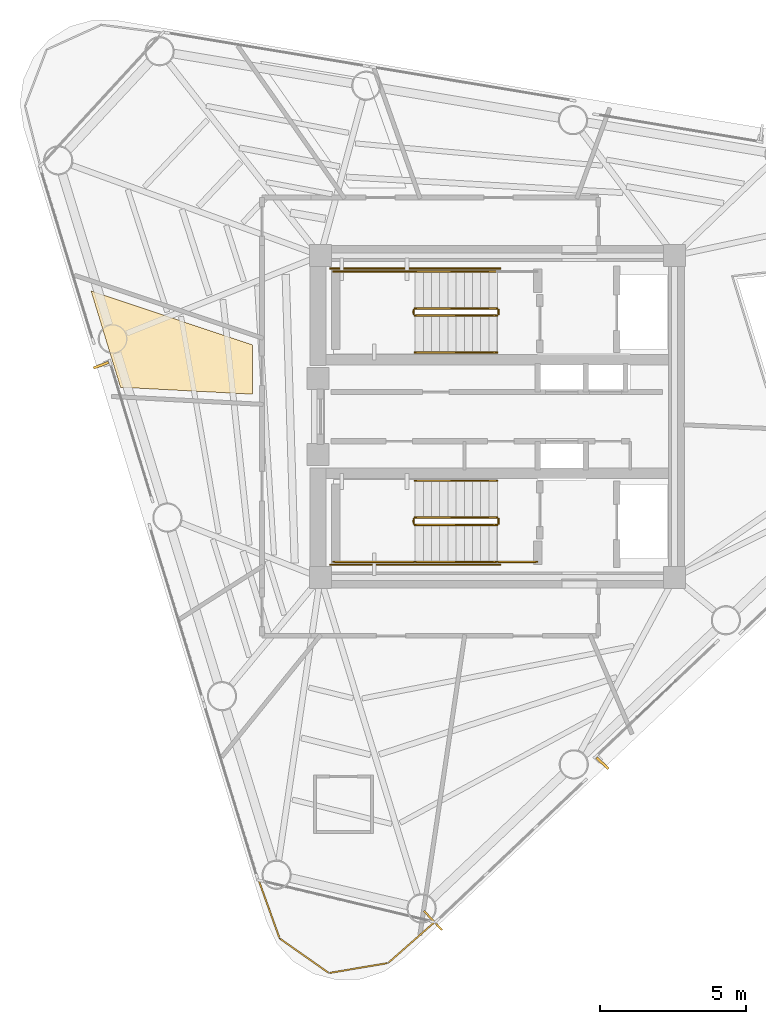
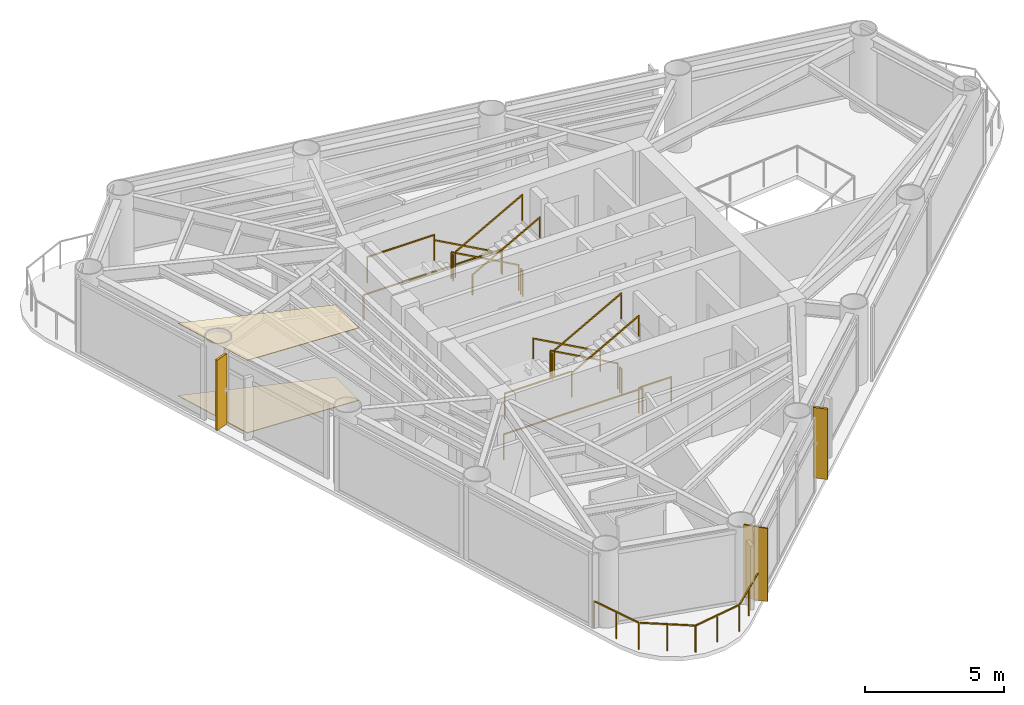
# One storey, part 8 of 9: 18 railings, 3 coverings, 2 shading devices.
"""IFC4 building model written with IfcOpenShell, lengths in metres."""

from ifc_helpers import new_model, si_unit, direction, frame, origin, origin_2d, place, context, subcontext, project, spatial, polyline, rectangle, outline, extrude, source, transform, mapped, material, layer, layer_set, material_profile, profile_set, type_object, element, save


model = new_model("IFC4")

# Units and contexts
model_context = context("Model", 3, precision=1e-05, world=origin(), true_north=direction((0.0, 1.0)))
body_context = subcontext(model_context, "Body", "Model", "MODEL_VIEW")
ifc_project = project(units=[si_unit("LENGTHUNIT", "METRE"), si_unit("AREAUNIT", "SQUARE_METRE"), si_unit("VOLUMEUNIT", "CUBIC_METRE"), si_unit("PLANEANGLEUNIT", "RADIAN"), si_unit("MASSUNIT", "GRAM", prefix="KILO")], contexts=[model_context])

# Site, building, storey
site_placement = place(None, origin())
site = spatial("IfcSite", under=ifc_project, at=site_placement, CompositionType="ELEMENT")
building_placement = place(site_placement, origin())
building = spatial("IfcBuilding", under=site, at=building_placement, Name="Yunling Apex Tower", CompositionType="ELEMENT")
storey_placement = place(building_placement, frame((0.0, 0.0, 228.64990234375)))
storey = spatial("IfcBuildingStorey", under=building, at=storey_placement, Name="L55", CompositionType="ELEMENT", Elevation=228.64990234375)

# Coverings
ifc_material_1 = material(Name="Acoustic mineral fibre ceiling")
ifc_layer_1 = layer(ifc_material_1, 0.02490234375)
ifc_layer_set_1 = layer_set([ifc_layer_1], Name="Acoustic mineral fibre ceiling")
covering_type_1 = type_object("IfcCoveringType", Name="CV-CLG-1", PredefinedType="CEILING", material=ifc_layer_set_1)
covering_1_placement = place(storey_placement, frame((0.0, 0.0, 3.195068359375)))
element("IfcCovering", 1, at=covering_1_placement, inside=storey, type_object=covering_type_1, Name="CV-CL-SP-L55-AMN10", PredefinedType="CEILING", context=body_context, shape_type="SweptSolid", body=[
    extrude(outline(polyline([(-12.877685546875, 1.00537109375), (-13.884033203125, 4.297607421875), (-8.3701171875, 2.45263671875), (-8.3701171875, 0.76904296875), (-12.877685546875, 1.00537109375)])), origin(), (0.0, 0.0, 1.0), 0.025146484375),
])
ifc_material_2 = material(Name="Polished granite stone", Category="masonry")
ifc_layer_2 = layer(ifc_material_2, 0.030029296875)
ifc_layer_set_2 = layer_set([ifc_layer_2], Name="Polished granite stone")
covering_type_2 = type_object("IfcCoveringType", Name="CV-FLR-1", PredefinedType="FLOORING", material=ifc_layer_set_2)
covering_2_placement = place(storey_placement, origin())
element("IfcCovering", 2, at=covering_2_placement, inside=storey, type_object=covering_type_2, Name="CV-FL-SP-L55-AMN10", PredefinedType="FLOORING", context=body_context, shape_type="SweptSolid", body=[
    extrude(outline(polyline([(-12.877685546875, 1.00537109375), (-13.884033203125, 4.297607421875), (-8.3701171875, 2.45263671875), (-8.3701171875, 0.76904296875), (-12.877685546875, 1.00537109375)])), origin(), (0.0, 0.0, 1.0), 0.030029296875),
])

# Railings
ifc_material_3 = material(Name="Bronze anodised aluminium", Category="aluminium")
railing_type_1 = type_object("IfcRailingType", Name="RL-BAL-1200", PredefinedType="BALUSTRADE", material=ifc_material_3)
railing_1_placement = place(storey_placement, frame((-2.147216796875, -17.2724609375, 0.0)))
element("IfcRailing", 3, at=railing_1_placement, inside=storey, type_object=railing_type_1, Name="RL-CRNSILL-L55-3", PredefinedType="BALUSTRADE", context=body_context, shape_type="SweptSolid", body=[
    extrude(rectangle(XDim=0.0439453125, YDim=0.0439453125, at=origin_2d()), origin(), (0.0, 0.0, 1.0), 1.199951171875),
    extrude(rectangle(XDim=0.0439453125, YDim=0.0439453125, at=origin_2d()), frame((-1.58740234375, -1.396728515625, 0.0)), (0.0, 0.0, 1.0), 1.199951171875),
    extrude(rectangle(XDim=0.050048828125, YDim=0.050048828125, at=origin_2d()), frame((-0.02880859375, -0.025390625, 1.1748046875), z_axis=(-0.750757036125, -0.660578437968, 0.0), x_axis=(0.660578437968, -0.750757036125, 0.0)), (0.0, 0.0, 1.0), 2.037841796875),
    extrude(rectangle(XDim=0.0439453125, YDim=0.0439453125, at=origin_2d()), frame((-0.793701171875, -0.6982421875, 0.0)), (0.0, 0.0, 1.0), 1.14599609375),
    extrude(rectangle(XDim=0.0439453125, YDim=0.0439453125, at=origin_2d()), frame((-3.609130859375, -1.738525390625, 0.0)), (0.0, 0.0, 1.0), 1.199951171875),
    extrude(rectangle(XDim=0.050048828125, YDim=0.050048828125, at=origin_2d()), frame((-1.625244140625, -1.403076171875, 1.1748046875), z_axis=(-0.986008296857, -0.166696246299, 0.0), x_axis=(0.166696246299, -0.986008296857, 0.0)), (0.0, 0.0, 1.0), 1.973876953125),
    extrude(rectangle(XDim=0.0439453125, YDim=0.0439453125, at=origin_2d()), frame((-2.59814453125, -1.567626953125, 0.0)), (0.0, 0.0, 1.0), 1.14599609375),
    extrude(rectangle(XDim=0.0439453125, YDim=0.0439453125, at=origin_2d()), frame((-5.29296875, -0.556884765625, 0.0)), (0.0, 0.0, 1.0), 1.199951171875),
    extrude(rectangle(XDim=0.050048828125, YDim=0.050048828125, at=origin_2d()), frame((-3.640625, -1.716552734375, 1.1748046875), z_axis=(-0.818556692462, 0.574425749096, 0.0), x_axis=(-0.574425749096, -0.818556692462, 0.0)), (0.0, 0.0, 1.0), 1.98046875),
    extrude(rectangle(XDim=0.0439453125, YDim=0.0439453125, at=origin_2d()), frame((-4.451171875, -1.147705078125, 0.0)), (0.0, 0.0, 1.0), 1.14599609375),
    extrude(rectangle(XDim=0.0439453125, YDim=0.0439453125, at=origin_2d()), frame((-6.0087890625, 1.431884765625, 0.0)), (0.0, 0.0, 1.0), 1.199951171875),
    extrude(rectangle(XDim=0.050048828125, YDim=0.050048828125, at=origin_2d()), frame((-5.305908203125, -0.520751953125, 1.1748046875), z_axis=(-0.338662205699, 0.940908024427, 0.0), x_axis=(-0.940908024427, -0.338662205699, 0.0)), (0.0, 0.0, 1.0), 2.037109375),
    extrude(rectangle(XDim=0.0439453125, YDim=0.0439453125, at=origin_2d()), frame((-5.65087890625, 0.4375, 0.0)), (0.0, 0.0, 1.0), 1.14599609375),
])
ifc_material_4 = material(Name="Steel Q355B", Category="steel")
railing_type_2 = type_object("IfcRailingType", Name="RL-GRD-1150", PredefinedType="GUARDRAIL", material=ifc_material_4)
railing_2_placement = place(storey_placement, frame((-0.010009765625, 3.699951171875, 0.154541015625)))
element("IfcRailing", 4, at=railing_2_placement, inside=storey, type_object=railing_type_2, Name="L55 ST-1 stair guard 1", PredefinedType="GUARDRAIL", context=body_context, shape_type="SweptSolid", body=[
    extrude(rectangle(XDim=0.0439453125, YDim=0.0439453125, at=origin_2d()), origin(), (0.0, 0.0, 1.0), 1.14990234375),
    extrude(rectangle(XDim=0.0439453125, YDim=0.0439453125, at=origin_2d()), frame((-2.800048828125, 0.0, 1.545654296875)), (0.0, 0.0, 1.0), 1.14990234375),
    extrude(rectangle(XDim=0.050048828125, YDim=0.050048828125, at=origin_2d()), frame((-0.033447265625, 0.0, 1.143310546875), z_axis=(-0.875471895205, 0.0, 0.483269035534), x_axis=(0.0, -1.0, 0.0)), (0.0, 0.0, 1.0), 3.12158203125),
])
railing_3_placement = place(storey_placement, frame((-2.860107421875, 3.64990234375, 1.7001953125)))
element("IfcRailing", 5, at=railing_3_placement, inside=storey, type_object=railing_type_2, Name="L55 ST-1 stair guard 2", PredefinedType="GUARDRAIL", context=body_context, shape_type="SweptSolid", body=[
    extrude(rectangle(XDim=0.0439453125, YDim=0.0439453125, at=origin_2d()), origin(), (0.0, 0.0, 1.0), 1.14990234375),
    extrude(rectangle(XDim=0.0439453125, YDim=0.0439453125, at=origin_2d()), frame((0.0, -0.14990234375, 0.0)), (0.0, 0.0, 1.0), 1.14990234375),
    extrude(rectangle(XDim=0.050048828125, YDim=0.050048828125, at=origin_2d()), frame((0.0, -0.038330078125, 1.125), z_axis=(0.0, -1.0, 0.0), x_axis=(1.0, 0.0, 0.0)), (0.0, 0.0, 1.0), 0.0732421875),
])
railing_4_placement = place(storey_placement, frame((-2.81005859375, 4.9599609375, 1.7001953125)))
element("IfcRailing", 6, at=railing_4_placement, inside=storey, type_object=railing_type_2, Name="L55 ST-1 stair guard 3", PredefinedType="GUARDRAIL", context=body_context, shape_type="SweptSolid", body=[
    extrude(rectangle(XDim=0.0439453125, YDim=0.0439453125, at=origin_2d()), origin(), (0.0, 0.0, 1.0), 1.14990234375),
    extrude(rectangle(XDim=0.0439453125, YDim=0.0439453125, at=origin_2d()), frame((-2.7900390625, 0.0, 0.0)), (0.0, 0.0, 1.0), 1.14990234375),
    extrude(rectangle(XDim=0.050048828125, YDim=0.050048828125, at=origin_2d()), frame((-0.038330078125, 0.0, 1.125), z_axis=(-1.0, 0.0, 0.0), x_axis=(0.0, -1.0, 0.0)), (0.0, 0.0, 1.0), 2.71337890625),
])
railing_5_placement = place(storey_placement, frame((-2.81005859375, 3.449951171875, 1.854736328125)))
element("IfcRailing", 7, at=railing_5_placement, inside=storey, type_object=railing_type_2, Name="L55 ST-1 stair guard 4", PredefinedType="GUARDRAIL", context=body_context, shape_type="SweptSolid", body=[
    extrude(rectangle(XDim=0.0439453125, YDim=0.0439453125, at=origin_2d()), origin(), (0.0, 0.0, 1.0), 1.14990234375),
    extrude(rectangle(XDim=0.0439453125, YDim=0.0439453125, at=origin_2d()), frame((2.800048828125, 0.0, 1.54541015625)), (0.0, 0.0, 1.0), 1.14990234375),
    extrude(rectangle(XDim=0.050048828125, YDim=0.050048828125, at=origin_2d()), frame((0.033447265625, 0.0, 1.143310546875), z_axis=(0.875504190374, 0.0, 0.483210526207), x_axis=(0.0, 1.0, 0.0)), (0.0, 0.0, 1.0), 3.12158203125),
])
railing_6_placement = place(storey_placement, frame((0.0400390625, 3.64990234375, 0.0)))
element("IfcRailing", 8, at=railing_6_placement, inside=storey, type_object=railing_type_2, Name="L55 ST-1 stair guard 5", PredefinedType="GUARDRAIL", context=body_context, shape_type="SweptSolid", body=[
    extrude(rectangle(XDim=0.0439453125, YDim=0.0439453125, at=origin_2d()), origin(), (0.0, 0.0, 1.0), 1.14990234375),
    extrude(rectangle(XDim=0.0439453125, YDim=0.0439453125, at=origin_2d()), frame((0.0, -0.14990234375, 0.0)), (0.0, 0.0, 1.0), 1.14990234375),
    extrude(rectangle(XDim=0.050048828125, YDim=0.050048828125, at=origin_2d()), frame((0.0, -0.038330078125, 1.125), z_axis=(0.0, -1.0, 0.0), x_axis=(1.0, 0.0, 0.0)), (0.0, 0.0, 1.0), 0.0732421875),
])
railing_7_placement = place(storey_placement, frame((0.090087890625, 5.06005859375, 0.0)))
element("IfcRailing", 9, at=railing_7_placement, inside=storey, type_object=railing_type_2, Name="L55 ST-1 stair guard 7", PredefinedType="GUARDRAIL", context=body_context, shape_type="SweptSolid", body=[
    extrude(rectangle(XDim=0.0439453125, YDim=0.0439453125, at=origin_2d()), origin(), (0.0, 0.0, 1.0), 1.14990234375),
    extrude(rectangle(XDim=0.0439453125, YDim=0.0439453125, at=origin_2d()), frame((-5.7900390625, 0.0, 0.0)), (0.0, 0.0, 1.0), 1.14990234375),
    extrude(rectangle(XDim=0.050048828125, YDim=0.050048828125, at=origin_2d()), frame((-0.038330078125, 0.0, 1.125), z_axis=(-1.0, 0.0, 0.0), x_axis=(0.0, -1.0, 0.0)), (0.0, 0.0, 1.0), 5.71337890625),
])
railing_8_placement = place(storey_placement, frame((-0.010009765625, -3.449951171875, 0.154541015625)))
element("IfcRailing", 10, at=railing_8_placement, inside=storey, type_object=railing_type_2, Name="L55 ST-2 stair guard 1", PredefinedType="GUARDRAIL", context=body_context, shape_type="SweptSolid", body=[
    extrude(rectangle(XDim=0.0439453125, YDim=0.0439453125, at=origin_2d()), origin(), (0.0, 0.0, 1.0), 1.14990234375),
    extrude(rectangle(XDim=0.0439453125, YDim=0.0439453125, at=origin_2d()), frame((-2.800048828125, 0.0, 1.545654296875)), (0.0, 0.0, 1.0), 1.14990234375),
    extrude(rectangle(XDim=0.050048828125, YDim=0.050048828125, at=origin_2d()), frame((-0.033447265625, 0.0, 1.143310546875), z_axis=(-0.875471895205, 0.0, 0.483269035534), x_axis=(0.0, -1.0, 0.0)), (0.0, 0.0, 1.0), 3.12158203125),
])
railing_9_placement = place(storey_placement, frame((-2.860107421875, -3.5, 1.7001953125)))
element("IfcRailing", 11, at=railing_9_placement, inside=storey, type_object=railing_type_2, Name="L55 ST-2 stair guard 2", PredefinedType="GUARDRAIL", context=body_context, shape_type="SweptSolid", body=[
    extrude(rectangle(XDim=0.0439453125, YDim=0.0439453125, at=origin_2d()), origin(), (0.0, 0.0, 1.0), 1.14990234375),
    extrude(rectangle(XDim=0.0439453125, YDim=0.0439453125, at=origin_2d()), frame((0.0, -0.14990234375, 0.0)), (0.0, 0.0, 1.0), 1.14990234375),
    extrude(rectangle(XDim=0.050048828125, YDim=0.050048828125, at=origin_2d()), frame((0.0, -0.038330078125, 1.125), z_axis=(0.0, -1.0, 0.0), x_axis=(1.0, 0.0, 0.0)), (0.0, 0.0, 1.0), 0.0732421875),
])
railing_10_placement = place(storey_placement, frame((-2.81005859375, -4.9599609375, 1.7001953125)))
element("IfcRailing", 12, at=railing_10_placement, inside=storey, type_object=railing_type_2, Name="L55 ST-2 stair guard 3", PredefinedType="GUARDRAIL", context=body_context, shape_type="SweptSolid", body=[
    extrude(rectangle(XDim=0.0439453125, YDim=0.0439453125, at=origin_2d()), origin(), (0.0, 0.0, 1.0), 1.14990234375),
    extrude(rectangle(XDim=0.0439453125, YDim=0.0439453125, at=origin_2d()), frame((-2.7900390625, 0.0, 0.0)), (0.0, 0.0, 1.0), 1.14990234375),
    extrude(rectangle(XDim=0.050048828125, YDim=0.050048828125, at=origin_2d()), frame((-0.038330078125, 0.0, 1.125), z_axis=(-1.0, 0.0, 0.0), x_axis=(0.0, -1.0, 0.0)), (0.0, 0.0, 1.0), 2.71337890625),
])
railing_11_placement = place(storey_placement, frame((-2.81005859375, -3.699951171875, 1.854736328125)))
element("IfcRailing", 13, at=railing_11_placement, inside=storey, type_object=railing_type_2, Name="L55 ST-2 stair guard 4", PredefinedType="GUARDRAIL", context=body_context, shape_type="SweptSolid", body=[
    extrude(rectangle(XDim=0.0439453125, YDim=0.0439453125, at=origin_2d()), origin(), (0.0, 0.0, 1.0), 1.14990234375),
    extrude(rectangle(XDim=0.0439453125, YDim=0.0439453125, at=origin_2d()), frame((2.800048828125, 0.0, 1.54541015625)), (0.0, 0.0, 1.0), 1.14990234375),
    extrude(rectangle(XDim=0.050048828125, YDim=0.050048828125, at=origin_2d()), frame((0.033447265625, 0.0, 1.143310546875), z_axis=(0.875504190374, 0.0, 0.483210526207), x_axis=(0.0, 1.0, 0.0)), (0.0, 0.0, 1.0), 3.12158203125),
])
railing_12_placement = place(storey_placement, frame((0.0400390625, -3.5, 0.0)))
element("IfcRailing", 14, at=railing_12_placement, inside=storey, type_object=railing_type_2, Name="L55 ST-2 stair guard 5", PredefinedType="GUARDRAIL", context=body_context, shape_type="SweptSolid", body=[
    extrude(rectangle(XDim=0.0439453125, YDim=0.0439453125, at=origin_2d()), origin(), (0.0, 0.0, 1.0), 1.14990234375),
    extrude(rectangle(XDim=0.0439453125, YDim=0.0439453125, at=origin_2d()), frame((0.0, -0.14990234375, 0.0)), (0.0, 0.0, 1.0), 1.14990234375),
    extrude(rectangle(XDim=0.050048828125, YDim=0.050048828125, at=origin_2d()), frame((0.0, -0.038330078125, 1.125), z_axis=(0.0, -1.0, 0.0), x_axis=(1.0, 0.0, 0.0)), (0.0, 0.0, 1.0), 0.0732421875),
])
railing_13_placement = place(storey_placement, frame((1.35009765625, -4.9599609375, 0.0)))
element("IfcRailing", 15, at=railing_13_placement, inside=storey, type_object=railing_type_2, Name="L55 ST-2 stair guard 6", PredefinedType="GUARDRAIL", context=body_context, shape_type="SweptSolid", body=[
    extrude(rectangle(XDim=0.0439453125, YDim=0.0439453125, at=origin_2d()), origin(), (0.0, 0.0, 1.0), 1.14990234375),
    extrude(rectangle(XDim=0.0439453125, YDim=0.0439453125, at=origin_2d()), frame((-1.360107421875, 0.0, 0.0)), (0.0, 0.0, 1.0), 1.14990234375),
    extrude(rectangle(XDim=0.050048828125, YDim=0.050048828125, at=origin_2d()), frame((-0.038330078125, 0.0, 1.125), z_axis=(-1.0, 0.0, 0.0), x_axis=(0.0, -1.0, 0.0)), (0.0, 0.0, 1.0), 1.283447265625),
])
railing_14_placement = place(storey_placement, frame((0.090087890625, -5.06005859375, 0.0)))
element("IfcRailing", 16, at=railing_14_placement, inside=storey, type_object=railing_type_2, Name="L55 ST-2 stair guard 7", PredefinedType="GUARDRAIL", context=body_context, shape_type="SweptSolid", body=[
    extrude(rectangle(XDim=0.0439453125, YDim=0.0439453125, at=origin_2d()), origin(), (0.0, 0.0, 1.0), 1.14990234375),
    extrude(rectangle(XDim=0.0439453125, YDim=0.0439453125, at=origin_2d()), frame((-5.7900390625, 0.0, 0.0)), (0.0, 0.0, 1.0), 1.14990234375),
    extrude(rectangle(XDim=0.050048828125, YDim=0.050048828125, at=origin_2d()), frame((-0.038330078125, 0.0, 1.125), z_axis=(-1.0, 0.0, 0.0), x_axis=(0.0, -1.0, 0.0)), (0.0, 0.0, 1.0), 5.71337890625),
])
ifc_material_5 = material(Name="Silver anodised aluminium", Category="aluminium")
railing_type_3 = type_object("IfcRailingType", Name="RL-HND-900", PredefinedType="HANDRAIL", material=ifc_material_5)
railing_15_placement = place(storey_placement, frame((-0.010009765625, 4.9599609375, 0.154541015625)))
element("IfcRailing", 17, at=railing_15_placement, inside=storey, type_object=railing_type_3, Name="L55 ST-1 stair handrail 1", PredefinedType="HANDRAIL", context=body_context, shape_type="SweptSolid", body=[
    extrude(rectangle(XDim=0.0439453125, YDim=0.0439453125, at=origin_2d()), origin(), (0.0, 0.0, 1.0), 0.919921875),
    extrude(rectangle(XDim=0.0439453125, YDim=0.0439453125, at=origin_2d()), frame((-2.800048828125, 0.0, 1.545654296875)), (0.0, 0.0, 1.0), 0.919921875),
    extrude(rectangle(XDim=0.050048828125, YDim=0.050048828125, at=origin_2d()), frame((-0.033447265625, 0.0, 0.913330078125), z_axis=(-0.875471895205, 0.0, 0.483269035534), x_axis=(0.0, -1.0, 0.0)), (0.0, 0.0, 1.0), 3.12158203125),
])
railing_16_placement = place(storey_placement, frame((-2.81005859375, 2.18994140625, 1.854736328125)))
element("IfcRailing", 18, at=railing_16_placement, inside=storey, type_object=railing_type_3, Name="L55 ST-1 stair handrail 2", PredefinedType="HANDRAIL", context=body_context, shape_type="SweptSolid", body=[
    extrude(rectangle(XDim=0.0439453125, YDim=0.0439453125, at=origin_2d()), origin(), (0.0, 0.0, 1.0), 0.919921875),
    extrude(rectangle(XDim=0.0439453125, YDim=0.0439453125, at=origin_2d()), frame((2.800048828125, 0.0, 1.54541015625)), (0.0, 0.0, 1.0), 0.919921875),
    extrude(rectangle(XDim=0.050048828125, YDim=0.050048828125, at=origin_2d()), frame((0.033447265625, 0.0, 0.913330078125), z_axis=(0.875504190374, 0.0, 0.483210526207), x_axis=(0.0, 1.0, 0.0)), (0.0, 0.0, 1.0), 3.12158203125),
])
railing_17_placement = place(storey_placement, frame((-0.010009765625, -2.18994140625, 0.154541015625)))
element("IfcRailing", 19, at=railing_17_placement, inside=storey, type_object=railing_type_3, Name="L55 ST-2 stair handrail 1", PredefinedType="HANDRAIL", context=body_context, shape_type="SweptSolid", body=[
    extrude(rectangle(XDim=0.0439453125, YDim=0.0439453125, at=origin_2d()), origin(), (0.0, 0.0, 1.0), 0.919921875),
    extrude(rectangle(XDim=0.0439453125, YDim=0.0439453125, at=origin_2d()), frame((-2.800048828125, 0.0, 1.545654296875)), (0.0, 0.0, 1.0), 0.919921875),
    extrude(rectangle(XDim=0.050048828125, YDim=0.050048828125, at=origin_2d()), frame((-0.033447265625, 0.0, 0.913330078125), z_axis=(-0.875471895205, 0.0, 0.483269035534), x_axis=(0.0, -1.0, 0.0)), (0.0, 0.0, 1.0), 3.12158203125),
])
railing_18_placement = place(storey_placement, frame((-2.81005859375, -4.9599609375, 1.854736328125)))
element("IfcRailing", 20, at=railing_18_placement, inside=storey, type_object=railing_type_3, Name="L55 ST-2 stair handrail 2", PredefinedType="HANDRAIL", context=body_context, shape_type="SweptSolid", body=[
    extrude(rectangle(XDim=0.0439453125, YDim=0.0439453125, at=origin_2d()), origin(), (0.0, 0.0, 1.0), 0.919921875),
    extrude(rectangle(XDim=0.0439453125, YDim=0.0439453125, at=origin_2d()), frame((2.800048828125, 0.0, 1.54541015625)), (0.0, 0.0, 1.0), 0.919921875),
    extrude(rectangle(XDim=0.050048828125, YDim=0.050048828125, at=origin_2d()), frame((0.033447265625, 0.0, 0.913330078125), z_axis=(0.875504190374, 0.0, 0.483210526207), x_axis=(0.0, 1.0, 0.0)), (0.0, 0.0, 1.0), 3.12158203125),
])

# Covering
ifc_layer_3 = layer(ifc_material_3, 0.0400390625)
ifc_layer_set_3 = layer_set([ifc_layer_3], Name="Bronze anodised aluminium")
covering_type_3 = type_object("IfcCoveringType", Name="CV-CLD-1", PredefinedType="CLADDING", material=ifc_layer_set_3)
shared_shape_1 = source(origin(), body_context, "Body", "SweptSolid", [
    extrude(rectangle(XDim=0.06005859375, YDim=0.89990234375, at=origin_2d()), origin(), (0.0, 0.0, 1.0), 3.219970703125),
])
covering_3_placement = place(storey_placement, frame((-2.2021484375, -17.21435546875, 0.0), z_axis=(0.0, 0.0, 1.0), x_axis=(0.725854756355, 0.687848001144, 0.0)))
element("IfcCovering", 21, at=covering_3_placement, inside=storey, type_object=covering_type_3, Name="CV-CLD-L55", PredefinedType="CLADDING", context=body_context, shape_type="MappedRepresentation", body=[
    mapped(shared_shape_1, transform((0.0, 0.0, 0.0), scale=1.0)),
])

# Shading devices
ifc_material_profile = material_profile(ifc_material_3, rectangle(XDim=0.0849609375, YDim=0.550048828125, at=origin_2d()))
ifc_profile_set = profile_set([ifc_material_profile], Name="Bronze anodised aluminium")
shading_device_type = type_object("IfcShadingDeviceType", Name="FN-BRZ-3", PredefinedType="USERDEFINED", material=ifc_profile_set)
shared_shape_2 = source(origin(), body_context, "Body", "SweptSolid", [
    extrude(rectangle(XDim=0.0849609375, YDim=0.550048828125, at=origin_2d()), origin(), (0.0, 0.0, 1.0), 3.10009765625),
])
for number, where, z_axis, x_axis, name in (
    (22, (3.591552734375, -11.841064453125, 0.06005859375), (0.0, 0.0, 1.0), (0.679313233894, 0.733848438205, 0.0), "CW-L55-F1-B2-FIN-01"),
    (23, (-13.5419921875, 1.759521484375, 0.06005859375), (0.0, 0.0, 1.0), (0.354291037998, -0.935135209686, 0.0), "CW-L55-F3-B2-FIN-01"),
):
    element("IfcShadingDevice", number, at=place(storey_placement, frame(where, z_axis=z_axis, x_axis=x_axis)), inside=storey, type_object=shading_device_type, Name=name, ObjectType="FIN", PredefinedType="USERDEFINED", context=body_context, shape_type="MappedRepresentation", body=[
        mapped(shared_shape_2, transform((0.0, 0.0, 0.0), scale=1.0)),
    ])

save(model, "model.ifc")
